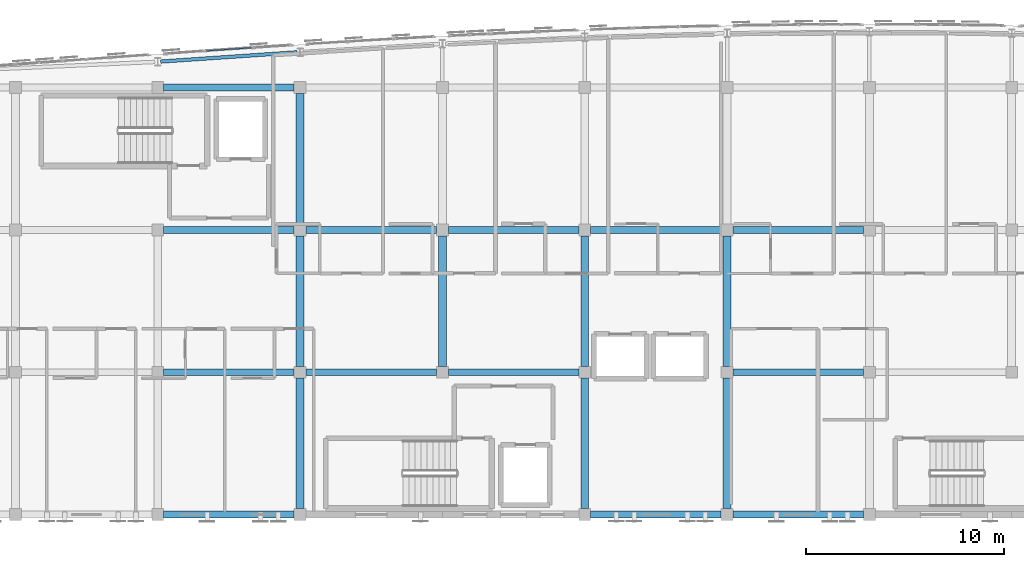
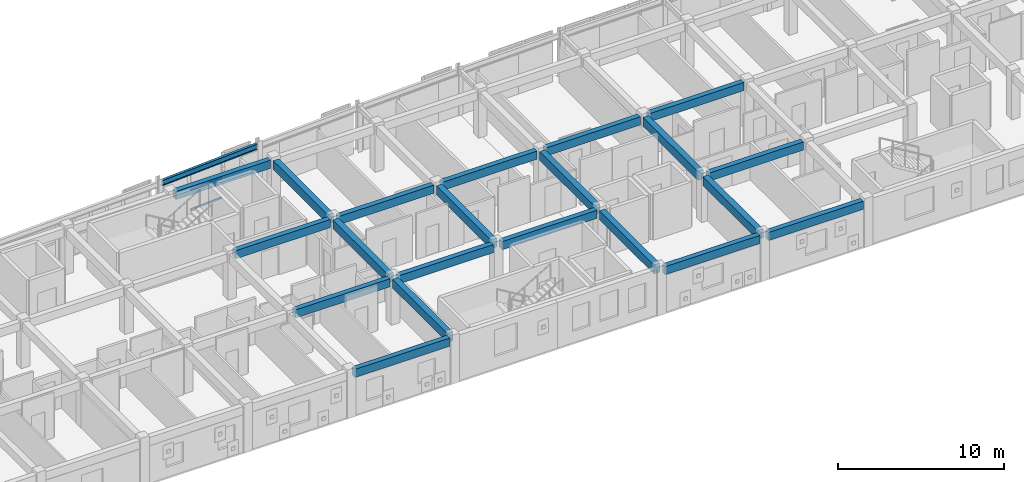
# One storey, part 10 of 51: 22 beams, 3 members, 1 element without a shape of its own.
"""IFC4 building model written with IfcOpenShell, lengths in metres."""

import ifcopenshell
import ifcopenshell.guid

model = None  # the IFC model being written
_history = None  # IfcOwnerHistory: only IFC2X3 demands one
_inside = {}  # id of a spatial element -> (the spatial element, [elements in it])
_under = {}  # id of a project, library or spatial element -> (it, [spatial elements below it])
_declared = {}  # id of a project -> (the project, [libraries it declares])
_typed = {}  # id of a type object -> (the type object, [elements of that type])
_made_of = {}  # id of a material, layer set ... -> (it, [elements and type objects made of it])


def new_model(schema):
    """Start an empty IFC model of exactly this schema.

    Asked for "IFC4X3", IfcOpenShell would pick the latest addendum, in which some entities
    have other attributes; the version numbers below select the first issue.
    IFC2X3 requires an IfcOwnerHistory on every rooted entity: one is made here for all.
    """
    global model, _history
    if schema == "IFC4X3":
        model = ifcopenshell.file(schema_version=(4, 3, 0, 0))
    else:
        model = ifcopenshell.file(schema=schema)
    _inside.clear()
    _under.clear()
    _declared.clear()
    _typed.clear()
    _made_of.clear()
    _history = None
    if model.schema == "IFC2X3":
        org = make("IfcOrganization", Name="unknown")
        user = make(
            "IfcPersonAndOrganization",
            ThePerson=make("IfcPerson", FamilyName="unknown"),
            TheOrganization=org,
        )
        app = make(
            "IfcApplication",
            ApplicationDeveloper=org,
            Version="unknown",
            ApplicationFullName="unknown",
            ApplicationIdentifier="unknown",
        )
        _history = make(
            "IfcOwnerHistory",
            OwningUser=user,
            OwningApplication=app,
            ChangeAction="ADDED",
            CreationDate=0,
        )
    return model


def make(cls, **values):
    """One entity of the class cls with the attributes given. An attribute that is None is left unset."""
    return model.create_entity(
        cls, **{name: value for name, value in values.items() if value is not None}
    )


def rooted(cls, **values):
    """An entity with a GlobalId (a new one), such as an element, a storey or a relation."""
    return make(cls, GlobalId=ifcopenshell.guid.new(), OwnerHistory=_history, **values)


def si_unit(unit_type, name, prefix=None):
    """IfcSIUnit, for example si_unit("LENGTHUNIT", "METRE", prefix="MILLI")."""
    return make("IfcSIUnit", UnitType=unit_type, Prefix=prefix, Name=name)


def assignment(units):
    """IfcUnitAssignment: the units of a project."""
    return None if units is None else make("IfcUnitAssignment", Units=units)


def point(xyz):
    """IfcCartesianPoint."""
    return None if xyz is None else make("IfcCartesianPoint", Coordinates=xyz)


def direction(xyz):
    """IfcDirection."""
    return None if xyz is None else make("IfcDirection", DirectionRatios=xyz)


def frame(location, z_axis=None, x_axis=None):
    """IfcAxis2Placement3D, a coordinate frame: its origin and axes. An axis left out is left unset."""
    return make(
        "IfcAxis2Placement3D",
        Location=point(location),
        Axis=direction(z_axis),
        RefDirection=direction(x_axis),
    )


def frame_2d(location, x_axis=None):
    """IfcAxis2Placement2D, a coordinate frame in the plane: its origin and x axis."""
    return make(
        "IfcAxis2Placement2D", Location=point(location), RefDirection=direction(x_axis)
    )


def origin():
    """The frame at (0, 0, 0) with its axes left unset."""
    return frame((0.0, 0.0, 0.0))


def origin_2d():
    """The frame at (0, 0) in the plane with its x axis left unset."""
    return frame_2d((0.0, 0.0))


def place(relative_to, where):
    """IfcLocalPlacement: puts the frame where relative to a parent placement (None: the world)."""
    return make(
        "IfcLocalPlacement", PlacementRelTo=relative_to, RelativePlacement=where
    )


def context(
    kind, dimensions, precision=None, world=None, true_north=None, identifier=None
):
    """IfcGeometricRepresentationContext, for example the 3D "Model" context."""
    return make(
        "IfcGeometricRepresentationContext",
        ContextIdentifier=identifier,
        ContextType=kind,
        CoordinateSpaceDimension=dimensions,
        Precision=precision,
        WorldCoordinateSystem=world,
        TrueNorth=true_north,
    )


def subcontext(parent, identifier, kind, view, scale=None):
    """IfcGeometricRepresentationSubContext, for example "Body" below "Model"."""
    return make(
        "IfcGeometricRepresentationSubContext",
        ContextIdentifier=identifier,
        ContextType=kind,
        ParentContext=parent,
        TargetScale=scale,
        TargetView=view,
    )


def project(units=None, contexts=None):
    """IfcProject with its units and contexts."""
    return rooted(
        "IfcProject",
        Name="project",
        RepresentationContexts=contexts,
        UnitsInContext=assignment(units),
    )


def spatial(cls, under=None, at=None, **own):
    """A site, building, storey or space (cls), placed at a placement, below another one or the project."""
    s = rooted(cls, ObjectPlacement=at, **own)
    if under is not None:
        _under.setdefault(under.id(), (under, []))[1].append(s)
    return s


def profile(cls, at=None, kind="AREA", **sizes):
    """A parametric profile (cls). Its sizes go by their IFC names, for example OverallWidth=200.0."""
    return make(cls, ProfileType=kind, Position=at, **sizes)


def rectangle(**sizes):
    """IfcRectangleProfileDef."""
    return profile("IfcRectangleProfileDef", **sizes)


def hollow_rectangle(**sizes):
    """IfcRectangleHollowProfileDef."""
    return profile("IfcRectangleHollowProfileDef", **sizes)


def i_section(**sizes):
    """IfcIShapeProfileDef."""
    return profile("IfcIShapeProfileDef", **sizes)


def extrude(swept, where, along, depth):
    """IfcExtrudedAreaSolid: the profile swept, set in the frame where, extruded along a direction by depth."""
    return make(
        "IfcExtrudedAreaSolid",
        SweptArea=swept,
        Position=where,
        ExtrudedDirection=direction(along),
        Depth=depth,
    )


def shape(context_of_items, identifier, shape_type, items):
    """IfcShapeRepresentation: the items that make up one representation, for example the "Body"."""
    return make(
        "IfcShapeRepresentation",
        ContextOfItems=context_of_items,
        RepresentationIdentifier=identifier,
        RepresentationType=shape_type,
        Items=items,
    )


def material(Name=None, Category=None):
    """IfcMaterial."""
    return make("IfcMaterial", Name=Name, Category=Category)


def layer(
    of_material, thickness, ventilated=None, Name=None, Category=None, Priority=None
):
    """IfcMaterialLayer: one layer of a wall or slab, of a material (None: an air gap)."""
    return make(
        "IfcMaterialLayer",
        Material=of_material,
        LayerThickness=thickness,
        IsVentilated=ventilated,
        Name=Name,
        Category=Category,
        Priority=Priority,
    )


def layer_set(layers, Name=None):
    """IfcMaterialLayerSet."""
    return make("IfcMaterialLayerSet", MaterialLayers=layers, LayerSetName=Name)


def material_profile(
    of_material, cross_section, Name=None, Category=None, Priority=None
):
    """IfcMaterialProfile: a cross section and its material."""
    return make(
        "IfcMaterialProfile",
        Name=Name,
        Material=of_material,
        Profile=cross_section,
        Priority=Priority,
        Category=Category,
    )


def profile_set(profiles, Name=None, composite=None):
    """IfcMaterialProfileSet."""
    return make(
        "IfcMaterialProfileSet",
        Name=Name,
        MaterialProfiles=profiles,
        CompositeProfile=composite,
    )


def made_of(thing, what):
    """Note that an element or type object is made of a material, layer set ...; save() writes the relation."""
    if what is not None:
        _made_of.setdefault(what.id(), (what, []))[1].append(thing)
    return thing


def type_object(cls, material=None, **own):
    """A type object (cls), such as IfcWallType, which elements share."""
    return made_of(rooted(cls, **own), material)


def element(
    cls,
    number,
    at=None,
    inside=None,
    cuts=None,
    type_object=None,
    material=None,
    context=None,
    identifier="Body",
    shape_type=None,
    held_by="IfcProductDefinitionShape",
    body=None,
    shapes=None,
    **own,
):
    """One element of the class cls, such as IfcWall. Its Tag is "e" and its number.

    at: its placement. inside: the storey or other place that contains it. cuts: it is an
    opening in that element (IfcRelVoidsElement). A single representation is given by context,
    identifier, shape_type and body (its items); several are given by shapes. held_by: the class
    of the entity that holds the representations. save() writes the other relations.
    """
    e = rooted(cls, Tag="e%d" % number, ObjectPlacement=at, **own)
    if body is not None:
        shapes = [shape(context, identifier, shape_type, body)]
    if shapes is not None:
        e.Representation = make(held_by, Representations=shapes)
    if inside is not None:
        _inside.setdefault(inside.id(), (inside, []))[1].append(e)
    if cuts is not None:
        rooted(
            "IfcRelVoidsElement", RelatingBuildingElement=cuts, RelatedOpeningElement=e
        )
    if type_object is not None:
        _typed.setdefault(type_object.id(), (type_object, []))[1].append(e)
    return made_of(e, material)


def aggregate(whole, parts):
    """IfcRelAggregates: a whole, such as a stair, and the parts it consists of."""
    return rooted("IfcRelAggregates", RelatingObject=whole, RelatedObjects=parts)


def save(model, path):
    """Write the relations noted so far, then the file.

    IfcRelAggregates (storeys below a building ...), IfcRelContainedInSpatialStructure (elements
    in a storey), IfcRelDefinesByType, IfcRelAssociatesMaterial and IfcRelDeclares: one each for
    every whole, place, type object, material and project.
    """
    for whole, parts in _under.values():
        aggregate(whole, parts)
    for where, things in _inside.values():
        rooted(
            "IfcRelContainedInSpatialStructure",
            RelatedElements=things,
            RelatingStructure=where,
        )
    for kind, things in _typed.values():
        rooted("IfcRelDefinesByType", RelatedObjects=things, RelatingType=kind)
    for what, things in _made_of.values():
        rooted("IfcRelAssociatesMaterial", RelatedObjects=things, RelatingMaterial=what)
    for by, libraries in _declared.values():
        rooted("IfcRelDeclares", RelatingContext=by, RelatedDefinitions=libraries)
    model.write(path)


model = new_model("IFC4")

# Units and contexts
model_context = context("Model", 3, precision=1e-05, world=origin(), true_north=direction((0.0, 1.0)))
body_context = subcontext(model_context, "Body", "Model", "MODEL_VIEW")
ifc_project = project(units=[si_unit("LENGTHUNIT", "METRE"), si_unit("AREAUNIT", "SQUARE_METRE"), si_unit("VOLUMEUNIT", "CUBIC_METRE"), si_unit("PLANEANGLEUNIT", "RADIAN"), si_unit("MASSUNIT", "GRAM", prefix="KILO")], contexts=[model_context])

# Site, building, storey
site_placement = place(None, origin())
site = spatial("IfcSite", under=ifc_project, at=site_placement, CompositionType="ELEMENT")
building_placement = place(site_placement, origin())
building = spatial("IfcBuilding", under=site, at=building_placement, Name="Carrowvane Square Congress Hotel", CompositionType="ELEMENT")
storey_placement = place(building_placement, frame((0.0, 0.0, 30.0)))
storey = spatial("IfcBuildingStorey", under=building, at=storey_placement, Name="L07", CompositionType="ELEMENT", Elevation=30.0)

# Beams
ifc_material_1 = material(Name="Concrete C35/45", Category="concrete")
ifc_material_profile_1 = material_profile(ifc_material_1, rectangle(XDim=0.35009765625, YDim=0.60009765625, at=origin_2d()), Name="RC 350x600")
ifc_profile_set_1 = profile_set([ifc_material_profile_1], Name="Concrete C35/45")
beam_type_1 = type_object("IfcBeamType", Name="BM-RC-350x600", PredefinedType="BEAM", material=ifc_profile_set_1)
beam_1_placement = place(storey_placement, frame((62.300048828125, 91.800048828125, 3.06005859375), z_axis=(1.0, 0.0, 0.0), x_axis=(0.0, 1.0, 0.0)))
element("IfcBeam", 1, at=beam_1_placement, inside=storey, type_object=beam_type_1, Name="L08 girder N/8-9", PredefinedType="BEAM", context=body_context, shape_type="SweptSolid", body=[
    extrude(rectangle(XDim=0.35009765625, YDim=0.60009765625, at=origin_2d()), origin(), (0.0, 0.0, 1.0), 6.599853515625),
])
beam_2_placement = place(storey_placement, frame((83.89990234375, 91.800048828125, 3.06005859375), z_axis=(1.0, 0.0, 0.0), x_axis=(0.0, 1.0, 0.0)))
element("IfcBeam", 2, at=beam_2_placement, inside=storey, type_object=beam_type_1, Name="L08 girder N/11-12", PredefinedType="BEAM", context=body_context, shape_type="SweptSolid", body=[
    extrude(rectangle(XDim=0.35009765625, YDim=0.60009765625, at=origin_2d()), origin(), (0.0, 0.0, 1.0), 6.60009765625),
])
for number, where, z_axis, x_axis, name in (
    (3, (91.10009765625, 91.800048828125, 3.06005859375), (1.0, 0.0, 0.0), (0.0, 1.0, 0.0), "L08 girder N/12-13"),
    (4, (62.300048828125, 99.0, 3.06005859375), (1.0, 0.0, 0.0), (0.0, 1.0, 0.0), "L08 girder P/8-9"),
):
    element("IfcBeam", number, at=place(storey_placement, frame(where, z_axis=z_axis, x_axis=x_axis)), inside=storey, type_object=beam_type_1, Name=name, PredefinedType="BEAM", context=body_context, shape_type="SweptSolid", body=[
        extrude(rectangle(XDim=0.35009765625, YDim=0.60009765625, at=origin_2d()), origin(), (0.0, 0.0, 1.0), 6.599853515625),
    ])
for number, where, z_axis, x_axis, name in (
    (5, (69.5, 99.0, 3.06005859375), (1.0, 0.0, 0.0), (0.0, 1.0, 0.0), "L08 girder P/9-10"),
    (6, (76.699951171875, 99.0, 3.06005859375), (1.0, 0.0, 0.0), (0.0, 1.0, 0.0), "L08 girder P/10-11"),
):
    element("IfcBeam", number, at=place(storey_placement, frame(where, z_axis=z_axis, x_axis=x_axis)), inside=storey, type_object=beam_type_1, Name=name, PredefinedType="BEAM", context=body_context, shape_type="SweptSolid", body=[
        extrude(rectangle(XDim=0.35009765625, YDim=0.60009765625, at=origin_2d()), origin(), (0.0, 0.0, 1.0), 6.60009765625),
    ])
for number, where, z_axis, x_axis, name in (
    (7, (91.10009765625, 99.0, 3.06005859375), (1.0, 0.0, 0.0), (0.0, 1.0, 0.0), "L08 girder P/12-13"),
    (8, (62.300048828125, 106.199951171875, 3.06005859375), (1.0, 0.0, 0.0), (0.0, 1.0, 0.0), "L08 girder Q/8-9"),
):
    element("IfcBeam", number, at=place(storey_placement, frame(where, z_axis=z_axis, x_axis=x_axis)), inside=storey, type_object=beam_type_1, Name=name, PredefinedType="BEAM", context=body_context, shape_type="SweptSolid", body=[
        extrude(rectangle(XDim=0.35009765625, YDim=0.60009765625, at=origin_2d()), origin(), (0.0, 0.0, 1.0), 6.599853515625),
    ])
for number, where, z_axis, x_axis, name in (
    (9, (69.5, 106.199951171875, 3.06005859375), (1.0, 0.0, 0.0), (0.0, 1.0, 0.0), "L08 girder Q/9-10"),
    (10, (76.699951171875, 106.199951171875, 3.06005859375), (1.0, 0.0, 0.0), (0.0, 1.0, 0.0), "L08 girder Q/10-11"),
    (11, (83.89990234375, 106.199951171875, 3.06005859375), (1.0, 0.0, 0.0), (0.0, 1.0, 0.0), "L08 girder Q/11-12"),
):
    element("IfcBeam", number, at=place(storey_placement, frame(where, z_axis=z_axis, x_axis=x_axis)), inside=storey, type_object=beam_type_1, Name=name, PredefinedType="BEAM", context=body_context, shape_type="SweptSolid", body=[
        extrude(rectangle(XDim=0.35009765625, YDim=0.60009765625, at=origin_2d()), origin(), (0.0, 0.0, 1.0), 6.60009765625),
    ])
for number, where, z_axis, x_axis, name in (
    (12, (91.10009765625, 106.199951171875, 3.06005859375), (1.0, 0.0, 0.0), (0.0, 1.0, 0.0), "L08 girder Q/12-13"),
    (13, (62.300048828125, 113.39990234375, 3.06005859375), (1.0, 0.0, 0.0), (0.0, 1.0, 0.0), "L08 girder R/8-9"),
):
    element("IfcBeam", number, at=place(storey_placement, frame(where, z_axis=z_axis, x_axis=x_axis)), inside=storey, type_object=beam_type_1, Name=name, PredefinedType="BEAM", context=body_context, shape_type="SweptSolid", body=[
        extrude(rectangle(XDim=0.35009765625, YDim=0.60009765625, at=origin_2d()), origin(), (0.0, 0.0, 1.0), 6.599853515625),
    ])
ifc_material_2 = material(Name="Concrete C35/45", Category="concrete")
ifc_material_profile_2 = material_profile(ifc_material_2, rectangle(XDim=0.39990234375, YDim=0.64990234375, at=origin_2d()), Name="RC 400x650")
ifc_profile_set_2 = profile_set([ifc_material_profile_2], Name="Concrete C35/45")
beam_type_2 = type_object("IfcBeamType", Name="BM-RC-400x650", PredefinedType="BEAM", material=ifc_profile_set_2)
for number, where, z_axis, x_axis, name in (
    (14, (69.199951171875, 92.10009765625, 3.034912109375), (0.0, 1.0, 0.0), (-1.0, 0.0, 0.0), "L08 girder 9/N-P"),
    (15, (69.199951171875, 99.300048828125, 3.034912109375), (0.0, 1.0, 0.0), (-1.0, 0.0, 0.0), "L08 girder 9/P-Q"),
):
    element("IfcBeam", number, at=place(storey_placement, frame(where, z_axis=z_axis, x_axis=x_axis)), inside=storey, type_object=beam_type_2, Name=name, PredefinedType="BEAM", context=body_context, shape_type="SweptSolid", body=[
        extrude(rectangle(XDim=0.39990234375, YDim=0.64990234375, at=origin_2d()), origin(), (0.0, 0.0, 1.0), 6.599853515625),
    ])
beam_3_placement = place(storey_placement, frame((69.199951171875, 106.5, 3.034912109375), z_axis=(0.0, 1.0, 0.0), x_axis=(-1.0, 0.0, 0.0)))
element("IfcBeam", 16, at=beam_3_placement, inside=storey, type_object=beam_type_2, Name="L08 girder 9/Q-R", PredefinedType="BEAM", context=body_context, shape_type="SweptSolid", body=[
    extrude(rectangle(XDim=0.39990234375, YDim=0.64990234375, at=origin_2d()), origin(), (0.0, 0.0, 1.0), 6.60009765625),
])
for number, where, z_axis, x_axis, name in (
    (17, (76.39990234375, 99.300048828125, 3.034912109375), (0.0, 1.0, 0.0), (-1.0, 0.0, 0.0), "L08 girder 10/P-Q"),
    (18, (83.60009765625, 92.10009765625, 3.034912109375), (0.0, 1.0, 0.0), (-1.0, 0.0, 0.0), "L08 girder 11/N-P"),
    (19, (83.60009765625, 99.300048828125, 3.034912109375), (0.0, 1.0, 0.0), (-1.0, 0.0, 0.0), "L08 girder 11/P-Q"),
    (20, (90.800048828125, 92.10009765625, 3.034912109375), (0.0, 1.0, 0.0), (-1.0, 0.0, 0.0), "L08 girder 12/N-P"),
    (21, (90.800048828125, 99.300048828125, 3.034912109375), (0.0, 1.0, 0.0), (-1.0, 0.0, 0.0), "L08 girder 12/P-Q"),
):
    element("IfcBeam", number, at=place(storey_placement, frame(where, z_axis=z_axis, x_axis=x_axis)), inside=storey, type_object=beam_type_2, Name=name, PredefinedType="BEAM", context=body_context, shape_type="SweptSolid", body=[
        extrude(rectangle(XDim=0.39990234375, YDim=0.64990234375, at=origin_2d()), origin(), (0.0, 0.0, 1.0), 6.599853515625),
    ])
ifc_material_3 = material(Name="Steel S355", Category="steel")
ifc_material_profile_3 = material_profile(ifc_material_3, i_section(OverallWidth=0.1787109375, OverallDepth=0.409423828125, WebThickness=0.0087890625, FlangeThickness=0.014404296875, FilletRadius=0.01025390625, at=origin_2d()), Name="UKB 406x178x67")
ifc_profile_set_3 = profile_set([ifc_material_profile_3], Name="Steel S355")
beam_type_3 = type_object("IfcBeamType", Name="BM-ST-UKB406", PredefinedType="BEAM", material=ifc_profile_set_3)
beam_4_placement = place(storey_placement, frame((62.149658203125, 114.716064453125, 3.1552734375), z_axis=(0.997707965639, 0.067666943928, 0.0), x_axis=(-0.067666943928, 0.997707965639, 0.0)))
element("IfcBeam", 22, at=beam_4_placement, inside=storey, type_object=beam_type_3, Name="L08 curved north spandrel", PredefinedType="BEAM", context=body_context, shape_type="SweptSolid", body=[
    extrude(i_section(OverallWidth=0.1787109375, OverallDepth=0.409423828125, WebThickness=0.0087890625, FlangeThickness=0.014404296875, FilletRadius=0.01025390625, at=origin_2d()), origin(), (0.0, 0.0, 1.0), 6.91650390625),
])

# Curtain wall, members
ifc_material_4 = material(Name="Anodised aluminium", Category="aluminium")
ifc_layer = layer(ifc_material_4, 0.18603515625)
ifc_layer_set = layer_set([ifc_layer], Name="Anodised aluminium")
curtain_wall_type = type_object("IfcCurtainWallType", Name="CW-SYS-3", PredefinedType="NOTDEFINED", material=ifc_layer_set)
curtain_wall_placement = place(storey_placement, origin())
curtain_wall = element("IfcCurtainWall", 23, at=curtain_wall_placement, inside=storey, type_object=curtain_wall_type, Name="L07 unitised curtain wall 418", PredefinedType="NOTDEFINED")
ifc_material_5 = material(Name="Anodised aluminium", Category="aluminium")
ifc_material_profile_4 = material_profile(ifc_material_5, hollow_rectangle(XDim=0.06005859375, YDim=0.1298828125, WallThickness=0.00390625, at=origin_2d()), Name="CW-TR 60x130x4")
ifc_profile_set_4 = profile_set([ifc_material_profile_4], Name="Anodised aluminium")
member_type = type_object("IfcMemberType", Name="CW-TRN-1", PredefinedType="USERDEFINED", material=ifc_profile_set_4)
member_1_placement = place(storey_placement, frame((64.4599609375, 115.2578125, 0.030029296875), z_axis=(0.997696363245, 0.067837797479, 0.0), x_axis=(-0.067837797479, 0.997696363245, 0.0)))
member_1 = element("IfcMember", 24, at=member_1_placement, type_object=member_type, Name="CW-3 transom 1.1", ObjectType="TRANSOM", PredefinedType="USERDEFINED", context=body_context, shape_type="SweptSolid", body=[
    extrude(hollow_rectangle(XDim=0.06005859375, YDim=0.1298828125, WallThickness=0.00390625, at=origin_2d()), origin(), (0.0, 0.0, 1.0), 2.285400390625),
])
member_2_placement = place(storey_placement, frame((64.4599609375, 115.2578125, 1.4677734375), z_axis=(0.997696363245, 0.067837797479, 0.0), x_axis=(-0.067837797479, 0.997696363245, 0.0)))
member_2 = element("IfcMember", 25, at=member_2_placement, type_object=member_type, Name="CW-3 transom 1.2", ObjectType="TRANSOM", PredefinedType="USERDEFINED", context=body_context, shape_type="SweptSolid", body=[
    extrude(hollow_rectangle(XDim=0.06005859375, YDim=0.1298828125, WallThickness=0.00390625, at=origin_2d()), origin(), (0.0, 0.0, 1.0), 2.285400390625),
])
member_3_placement = place(storey_placement, frame((64.4599609375, 115.2578125, 2.905517578125), z_axis=(0.997696363245, 0.067837797479, 0.0), x_axis=(-0.067837797479, 0.997696363245, 0.0)))
member_3 = element("IfcMember", 26, at=member_3_placement, type_object=member_type, Name="CW-3 transom 1.3", ObjectType="TRANSOM", PredefinedType="USERDEFINED", context=body_context, shape_type="SweptSolid", body=[
    extrude(hollow_rectangle(XDim=0.06005859375, YDim=0.1298828125, WallThickness=0.00390625, at=origin_2d()), origin(), (0.0, 0.0, 1.0), 2.285400390625),
])
aggregate(curtain_wall, [member_1, member_2, member_3])

save(model, "model.ifc")
